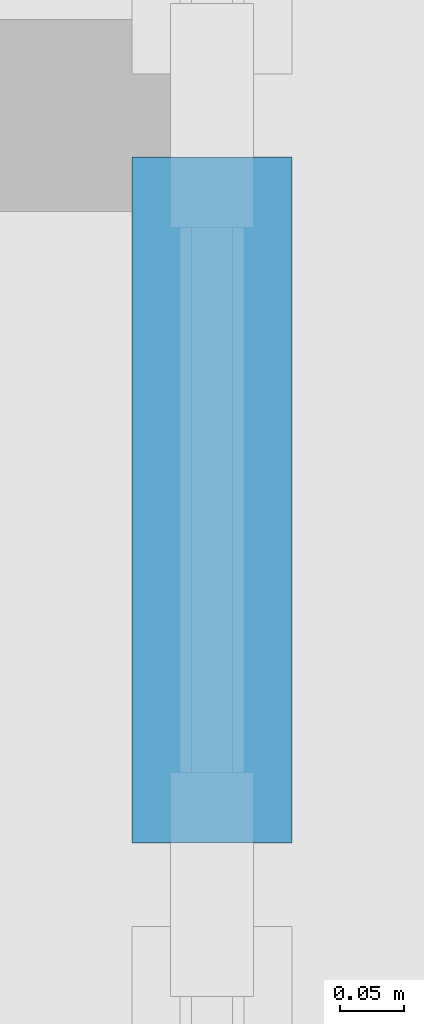
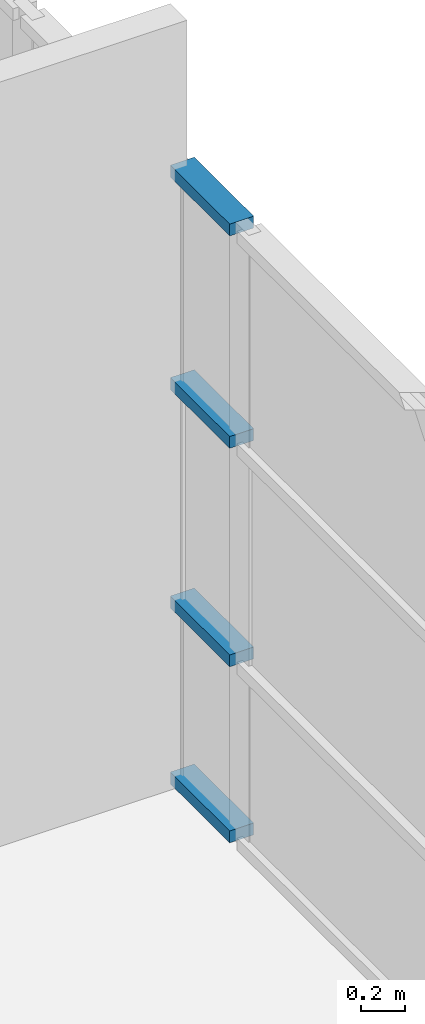
# One storey, part 10 of 56: 4 members, 1 element without a shape of its own.
"""IFC4 building model written with IfcOpenShell, lengths in metres."""

from ifc_helpers import new_model, si_unit, direction, frame, origin, origin_2d, place, context, subcontext, project, spatial, rectangle, extrude, material, layer, layer_set, material_profile, profile_set, type_object, element, aggregate, save


model = new_model("IFC4")

# Units and contexts
model_context = context("Model", 3, precision=1e-05, world=origin(), true_north=direction((0.0, 1.0)))
body_context = subcontext(model_context, "Body", "Model", "MODEL_VIEW")
ifc_project = project(units=[si_unit("LENGTHUNIT", "METRE"), si_unit("AREAUNIT", "SQUARE_METRE"), si_unit("VOLUMEUNIT", "CUBIC_METRE"), si_unit("PLANEANGLEUNIT", "RADIAN"), si_unit("MASSUNIT", "GRAM", prefix="KILO")], contexts=[model_context])

# Site, building, storey
site_placement = place(None, origin())
site = spatial("IfcSite", under=ifc_project, at=site_placement, CompositionType="ELEMENT")
building_placement = place(site_placement, origin())
building = spatial("IfcBuilding", under=site, at=building_placement, Name="Rulbaag Community and Learning Centre", CompositionType="ELEMENT")
storey_placement = place(building_placement, frame((0.0, 0.0, 9.89990234375)))
storey = spatial("IfcBuildingStorey", under=building, at=storey_placement, Name="L02", CompositionType="ELEMENT", Elevation=9.89990234375)

# Curtain wall, members
ifc_material_1 = material(Name="Aluminium", Category="aluminium")
ifc_layer = layer(ifc_material_1, 0.14990234375)
ifc_layer_set = layer_set([ifc_layer], Name="CW-L")
curtain_wall_type = type_object("IfcCurtainWallType", Name="CW-L", PredefinedType="USERDEFINED", material=ifc_layer_set)
curtain_wall_placement = place(storey_placement, origin())
curtain_wall = element("IfcCurtainWall", 1, at=curtain_wall_placement, inside=storey, type_object=curtain_wall_type, Name="GL-L02-06", ObjectType="STICK CURTAIN WALL", PredefinedType="USERDEFINED")
ifc_material_2 = material(Name="Aluminium transom", Category="aluminium")
ifc_material_profile = material_profile(ifc_material_2, rectangle(XDim=0.125, YDim=0.06494140625, at=origin_2d()), Name="AL 65x125 T")
ifc_profile_set = profile_set([ifc_material_profile], Name="Aluminium transom")
member_type = type_object("IfcMemberType", Name="CW-L-TRN", PredefinedType="USERDEFINED", material=ifc_profile_set)
member_1_placement = place(storey_placement, frame((168.0, 12.632568359375, 0.03271484375), z_axis=(0.0, 1.0, 0.0), x_axis=(-1.0, 0.0, 0.0)))
member_1 = element("IfcMember", 2, at=member_1_placement, type_object=member_type, Name="GL transom 3.1", ObjectType="TRANSOM", PredefinedType="USERDEFINED", context=body_context, shape_type="SweptSolid", body=[
    extrude(rectangle(XDim=0.125, YDim=0.06494140625, at=origin_2d()), origin(), (0.0, 0.0, 1.0), 0.534912109375),
])
member_2_placement = place(storey_placement, frame((168.0, 12.632568359375, 1.0), z_axis=(0.0, 1.0, 0.0), x_axis=(-1.0, 0.0, 0.0)))
member_2 = element("IfcMember", 3, at=member_2_placement, type_object=member_type, Name="GL transom 3.2", ObjectType="TRANSOM", PredefinedType="USERDEFINED", context=body_context, shape_type="SweptSolid", body=[
    extrude(rectangle(XDim=0.125, YDim=0.06494140625, at=origin_2d()), origin(), (0.0, 0.0, 1.0), 0.534912109375),
])
member_3_placement = place(storey_placement, frame((168.0, 12.632568359375, 2.2001953125), z_axis=(0.0, 1.0, 0.0), x_axis=(-1.0, 0.0, 0.0)))
member_3 = element("IfcMember", 4, at=member_3_placement, type_object=member_type, Name="GL transom 3.3", ObjectType="TRANSOM", PredefinedType="USERDEFINED", context=body_context, shape_type="SweptSolid", body=[
    extrude(rectangle(XDim=0.125, YDim=0.06494140625, at=origin_2d()), origin(), (0.0, 0.0, 1.0), 0.534912109375),
])
member_4_placement = place(storey_placement, frame((168.0, 12.632568359375, 3.36767578125), z_axis=(0.0, 1.0, 0.0), x_axis=(-1.0, 0.0, 0.0)))
member_4 = element("IfcMember", 5, at=member_4_placement, type_object=member_type, Name="GL transom 3.4", ObjectType="TRANSOM", PredefinedType="USERDEFINED", context=body_context, shape_type="SweptSolid", body=[
    extrude(rectangle(XDim=0.125, YDim=0.06494140625, at=origin_2d()), origin(), (0.0, 0.0, 1.0), 0.534912109375),
])
aggregate(curtain_wall, [member_1, member_2, member_3, member_4])

save(model, "model.ifc")
